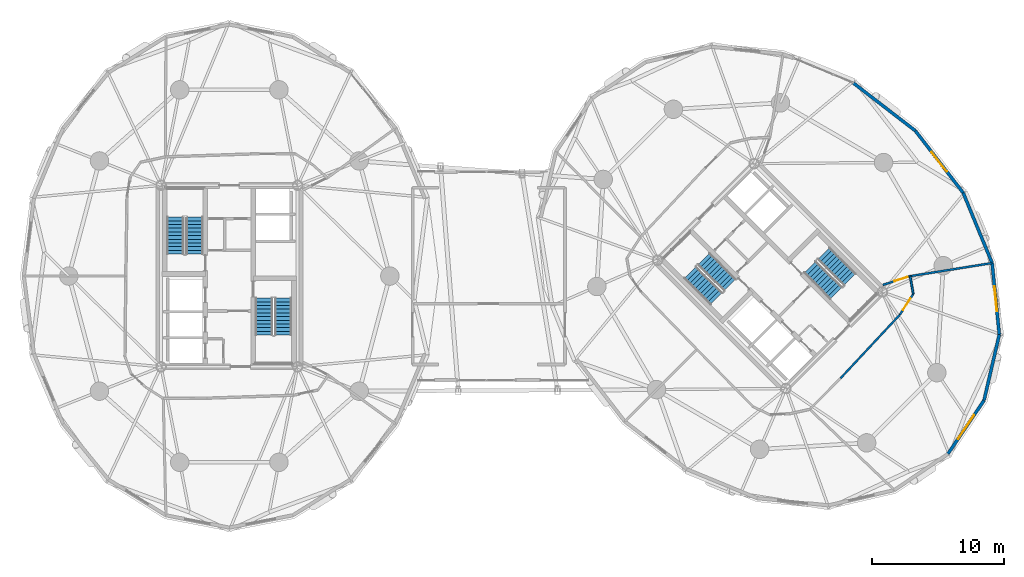
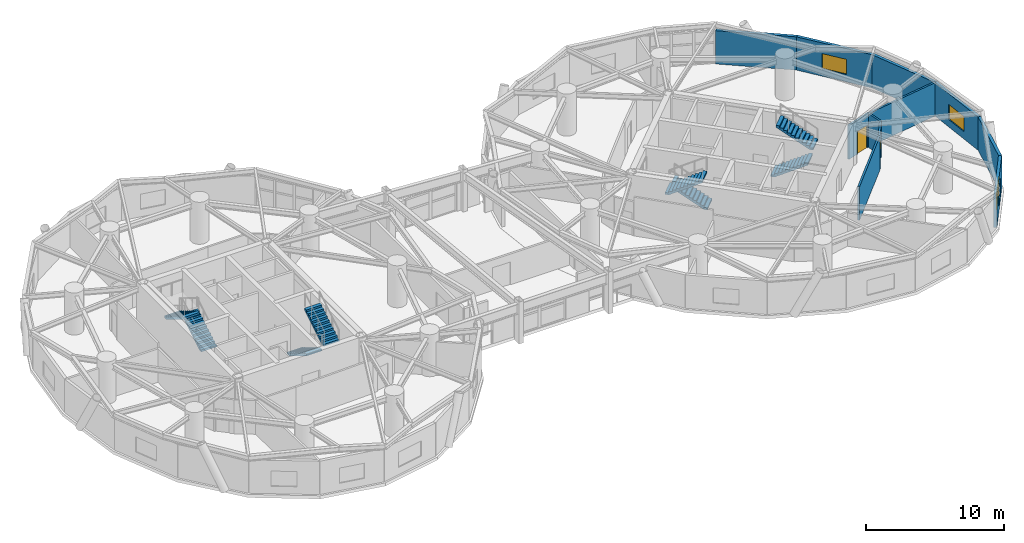
# One storey, part 17 of 19: 11 walls, 8 stair flights, 3 windows, 2 doors, 5 openings, 4 elements without a shape of their own.
"""IFC4 building model written with IfcOpenShell, lengths in metres."""

from ifc_helpers import new_model, si_unit, direction, frame, frame_2d, origin, place, context, subcontext, project, spatial, polyline, rectangle, outline, extrude, source, transform, mapped, material, layer, layer_set, type_object, element, fill, aggregate, save


model = new_model("IFC4")

# Units and contexts
model_context = context("Model", 3, precision=1e-05, world=origin(), true_north=direction((0.0, 1.0)))
body_context = subcontext(model_context, "Body", "Model", "MODEL_VIEW")
ifc_project = project(units=[si_unit("LENGTHUNIT", "METRE"), si_unit("AREAUNIT", "SQUARE_METRE"), si_unit("VOLUMEUNIT", "CUBIC_METRE"), si_unit("PLANEANGLEUNIT", "RADIAN"), si_unit("MASSUNIT", "GRAM", prefix="KILO")], contexts=[model_context])

# Site, building, storey
site_placement = place(None, origin())
site = spatial("IfcSite", under=ifc_project, at=site_placement, CompositionType="ELEMENT")
building_placement = place(site_placement, origin())
building = spatial("IfcBuilding", under=site, at=building_placement, Name="Cununo Teusaquillo Station Towers", CompositionType="ELEMENT")
storey_placement = place(building_placement, frame((0.0, 0.0, 132.8798828125)))
storey = spatial("IfcBuildingStorey", under=building, at=storey_placement, Name="L42", CompositionType="ELEMENT", Elevation=132.8798828125)

# Wall
ifc_material_1 = material(Name="Precast concrete C40/50", Category="concrete")
ifc_layer_1 = layer(ifc_material_1, 0.239990234375)
ifc_layer_set_1 = layer_set([ifc_layer_1], Name="Precast concrete C40/50")
wall_type_1 = type_object("IfcWallType", Name="WL-EXT-240", PredefinedType="SOLIDWALL", material=ifc_layer_set_1)
wall_1_placement = place(storey_placement, frame((63.811279296875, 39.145263671875, 0.0), z_axis=(0.0, 0.0, 1.0), x_axis=(0.791982052206, -0.61054437102, 0.0)))
element("IfcWall", 1, at=wall_1_placement, inside=storey, type_object=wall_type_1, Name="L42 Tower B Exterior Facade Wall C00", PredefinedType="SOLIDWALL", context=body_context, shape_type="SweptSolid", body=[
    extrude(rectangle(XDim=5.942138671875, YDim=0.239990234375, at=frame_2d((2.97119140625, 0.0))), origin(), (0.0, 0.0, 1.0), 2.94921875),
])

# Wall, opening, window
wall_2_placement = place(storey_placement, frame((73.72900390625, 15.080078125, 0.0), z_axis=(0.0, 0.0, 1.0), x_axis=(-0.559572880421, -0.828781148131, 0.0)))
wall_2 = element("IfcWall", 2, at=wall_2_placement, inside=storey, type_object=wall_type_1, Name="L42 Tower B Exterior Facade Wall C15", PredefinedType="SOLIDWALL", context=body_context, shape_type="SweptSolid", body=[
    extrude(rectangle(XDim=4.904541015625, YDim=0.239990234375, at=frame_2d((2.4521484375, 0.0))), origin(), (0.0, 0.0, 1.0), 2.94921875),
])
shared_shape_1 = source(origin(), body_context, "Body", "SweptSolid", [
    extrude(rectangle(XDim=2.199951171875, YDim=1.35009765625, at=frame_2d((1.10009765625, 0.675048828125))), frame((0.0, 0.1298828125, 0.0), z_axis=(0.0, -1.0, 0.0), x_axis=(1.0, 0.0, 0.0)), (0.0, 0.0, 1.0), 0.260009765625),
])
opening_1_placement = place(wall_2_placement, frame((1.35205078125, 0.0, 0.64990234375)))
opening_1 = element("IfcOpeningElement", 3, at=opening_1_placement, cuts=wall_2, Name="Opening WN-01", PredefinedType="OPENING", context=body_context, shape_type="MappedRepresentation", body=[
    mapped(shared_shape_1, transform((0.0, 0.0, 0.0), x_axis=(1.0, 0.0, 0.0), y_axis=(0.0, 1.0, 0.0), z_axis=(0.0, 0.0, 1.0), scale=1.0)),
])
ifc_material_2 = material(Name="Ceramic-fritted dark low-E double glazing", Category="glass")
window_type_1 = type_object("IfcWindowType", Name="WIN-FRIT-2200", PartitioningType="DOUBLE_PANEL_VERTICAL", PredefinedType="WINDOW", material=ifc_material_2)
shared_shape_2 = source(origin(), body_context, "Body", "SweptSolid", [
    extrude(rectangle(XDim=2.199951171875, YDim=1.35009765625, at=frame_2d((1.10009765625, 0.675048828125))), frame((0.0, 0.030029296875, 0.0), z_axis=(0.0, -1.0, 0.0), x_axis=(1.0, 0.0, 0.0)), (0.0, 0.0, 1.0), 0.06005859375),
])
window_1_placement = place(opening_1_placement, origin())
window_1 = element("IfcWindow", 4, at=window_1_placement, inside=storey, type_object=window_type_1, Name="L42 Tower B Facade Window C15", OverallHeight=1.35009765625, OverallWidth=2.199951171875, PartitioningType="DOUBLE_PANEL_VERTICAL", PredefinedType="WINDOW", context=body_context, shape_type="MappedRepresentation", body=[
    mapped(shared_shape_2, transform((0.0, 0.0, 0.0), x_axis=(1.0, 0.0, 0.0), y_axis=(0.0, 1.0, 0.0), z_axis=(0.0, 0.0, 1.0), scale=1.0)),
])
fill(opening_1, window_1)

# Wall
wall_3_placement = place(storey_placement, frame((74.885009765625, 20.066650390625, 0.0), z_axis=(0.0, 0.0, 1.0), x_axis=(-0.225834725257, -0.974165631126, 0.0)))
element("IfcWall", 5, at=wall_3_placement, inside=storey, type_object=wall_type_1, Name="L42 Tower B Exterior Facade Wall C16", PredefinedType="SOLIDWALL", context=body_context, shape_type="SweptSolid", body=[
    extrude(rectangle(XDim=5.118896484375, YDim=0.239990234375, at=frame_2d((2.5595703125, 0.0))), origin(), (0.0, 0.0, 1.0), 2.94921875),
])

# Wall, opening, window
wall_4_placement = place(storey_placement, frame((74.33935546875, 25.4873046875, 0.0), z_axis=(0.0, 0.0, 1.0), x_axis=(0.10015591906, -0.994971754311, 0.0)))
wall_4 = element("IfcWall", 6, at=wall_4_placement, inside=storey, type_object=wall_type_1, Name="L42 Tower B Exterior Facade Wall C17", PredefinedType="SOLIDWALL", context=body_context, shape_type="SweptSolid", body=[
    extrude(rectangle(XDim=5.447998046875, YDim=0.239990234375, at=frame_2d((2.72412109375, 0.0))), origin(), (0.0, 0.0, 1.0), 2.94921875),
])
shared_shape_3 = source(origin(), body_context, "Body", "SweptSolid", [
    extrude(rectangle(XDim=1.89990234375, YDim=1.35009765625, at=frame_2d((0.949951171875, 0.675048828125))), frame((0.0, 0.1298828125, 0.0), z_axis=(0.0, -1.0, 0.0), x_axis=(1.0, 0.0, 0.0)), (0.0, 0.0, 1.0), 0.260009765625),
])
opening_2_placement = place(wall_4_placement, frame((1.77392578125, 0.0, 0.64990234375)))
opening_2 = element("IfcOpeningElement", 7, at=opening_2_placement, cuts=wall_4, Name="Opening WN-02", PredefinedType="OPENING", context=body_context, shape_type="MappedRepresentation", body=[
    mapped(shared_shape_3, transform((0.0, 0.0, 0.0), x_axis=(1.0, 0.0, 0.0), y_axis=(0.0, 1.0, 0.0), z_axis=(0.0, 0.0, 1.0), scale=1.0)),
])
ifc_material_3 = material(Name="Operable acoustic tinted low-E double glazing", Category="glass")
window_type_2 = type_object("IfcWindowType", Name="WIN-OPER-1900", PartitioningType="DOUBLE_PANEL_VERTICAL", PredefinedType="WINDOW", material=ifc_material_3)
shared_shape_4 = source(origin(), body_context, "Body", "SweptSolid", [
    extrude(rectangle(XDim=1.89990234375, YDim=1.35009765625, at=frame_2d((0.949951171875, 0.675048828125))), frame((0.0, 0.030029296875, 0.0), z_axis=(0.0, -1.0, 0.0), x_axis=(1.0, 0.0, 0.0)), (0.0, 0.0, 1.0), 0.06005859375),
])
window_2_placement = place(opening_2_placement, origin())
window_2 = element("IfcWindow", 8, at=window_2_placement, inside=storey, type_object=window_type_2, Name="L42 Tower B Facade Window C17", OverallHeight=1.35009765625, OverallWidth=1.89990234375, PartitioningType="DOUBLE_PANEL_VERTICAL", PredefinedType="WINDOW", context=body_context, shape_type="MappedRepresentation", body=[
    mapped(shared_shape_4, transform((0.0, 0.0, 0.0), x_axis=(1.0, 0.0, 0.0), y_axis=(0.0, 1.0, 0.0), z_axis=(0.0, 0.0, 1.0), scale=1.0)),
])
fill(opening_2, window_2)

# Wall
wall_5_placement = place(storey_placement, frame((72.145263671875, 30.811279296875, 0.0), z_axis=(0.0, 0.0, 1.0), x_axis=(0.381027003055, -0.924563909604, 0.0)))
element("IfcWall", 9, at=wall_5_placement, inside=storey, type_object=wall_type_1, Name="L42 Tower B Exterior Facade Wall C18", PredefinedType="SOLIDWALL", context=body_context, shape_type="SweptSolid", body=[
    extrude(rectangle(XDim=5.75830078125, YDim=0.239990234375, at=frame_2d((2.879150390625, 0.0))), origin(), (0.0, 0.0, 1.0), 2.94921875),
])

# Wall, opening, window
wall_6_placement = place(storey_placement, frame((68.517333984375, 35.517333984375, 0.0), z_axis=(0.0, 0.0, 1.0), x_axis=(0.61054437102, -0.791982052206, 0.0)))
wall_6 = element("IfcWall", 10, at=wall_6_placement, inside=storey, type_object=wall_type_1, Name="L42 Tower B Exterior Facade Wall C19", PredefinedType="SOLIDWALL", context=body_context, shape_type="SweptSolid", body=[
    extrude(rectangle(XDim=5.942138671875, YDim=0.239990234375, at=frame_2d((2.97119140625, 0.0))), origin(), (0.0, 0.0, 1.0), 2.94921875),
])
opening_3_placement = place(wall_6_placement, frame((2.02099609375, 0.0, 0.64990234375)))
opening_3 = element("IfcOpeningElement", 11, at=opening_3_placement, cuts=wall_6, Name="Opening WN-02", PredefinedType="OPENING", context=body_context, shape_type="MappedRepresentation", body=[
    mapped(shared_shape_3, transform((0.0, 0.0, 0.0), x_axis=(1.0, 0.0, 0.0), y_axis=(0.0, 1.0, 0.0), z_axis=(0.0, 0.0, 1.0), scale=1.0)),
])
window_3_placement = place(opening_3_placement, origin())
window_3 = element("IfcWindow", 12, at=window_3_placement, inside=storey, type_object=window_type_2, Name="L42 Tower B Facade Window C19", OverallHeight=1.35009765625, OverallWidth=1.89990234375, PartitioningType="DOUBLE_PANEL_VERTICAL", PredefinedType="WINDOW", context=body_context, shape_type="MappedRepresentation", body=[
    mapped(shared_shape_4, transform((0.0, 0.0, 0.0), x_axis=(1.0, 0.0, 0.0), y_axis=(0.0, 1.0, 0.0), z_axis=(0.0, 0.0, 1.0), scale=1.0)),
])
fill(opening_3, window_3)

# Wall
ifc_material_4 = material(Name="Fire-rated gypsum plasterboard partition assembly", Category="gypsum")
ifc_layer_2 = layer(ifc_material_4, 0.14990234375)
ifc_layer_set_2 = layer_set([ifc_layer_2], Name="Fire-rated gypsum plasterboard partition assembly")
wall_type_2 = type_object("IfcWallType", Name="WL-PART-150", PredefinedType="PARTITIONING", material=ifc_layer_set_2)
wall_7_placement = place(storey_placement, frame((62.83935546875, 16.74462890625, 0.0), z_axis=(0.0, 0.0, 1.0), x_axis=(0.682386779427, 0.73099130177, 0.0)))
element("IfcWall", 13, at=wall_7_placement, inside=storey, type_object=wall_type_2, Name="L42 Tower B Corridor Ring Wall C15", PredefinedType="PARTITIONING", context=body_context, shape_type="SweptSolid", body=[
    extrude(rectangle(XDim=6.600341796875, YDim=0.14990234375, at=frame_2d((3.30029296875, 0.0))), origin(), (0.0, 0.0, 1.0), 2.9951171875),
])

# Wall, opening, door
wall_8_placement = place(storey_placement, frame((67.34326171875, 21.5693359375, 0.0), z_axis=(0.0, 0.0, 1.0), x_axis=(0.542722446786, 0.83991210597, 0.0)))
wall_8 = element("IfcWall", 14, at=wall_8_placement, inside=storey, type_object=wall_type_2, Name="L42 Tower B Corridor Ring Wall C16", PredefinedType="PARTITIONING", context=body_context, shape_type="SweptSolid", body=[
    extrude(rectangle(XDim=1.876220703125, YDim=0.14990234375, at=frame_2d((0.93798828125, 0.0))), origin(), (0.0, 0.0, 1.0), 2.9951171875),
])
shared_shape_5 = source(origin(), body_context, "Body", "SweptSolid", [
    extrude(rectangle(XDim=1.050048828125, YDim=2.014892578125, at=frame_2d((0.52490234375, 1.00732421875))), frame((0.0, 0.0849609375, 0.0), z_axis=(0.0, -1.0, 0.0), x_axis=(1.0, 0.0, 0.0)), (0.0, 0.0, 1.0), 0.169921875),
])
opening_4_placement = place(wall_8_placement, frame((0.4130859375, 0.0, 0.0)))
opening_4 = element("IfcOpeningElement", 15, at=opening_4_placement, cuts=wall_8, Name="Opening D-SU1", PredefinedType="OPENING", context=body_context, shape_type="MappedRepresentation", body=[
    mapped(shared_shape_5, transform((0.0, 0.0, 0.0), x_axis=(1.0, 0.0, 0.0), y_axis=(0.0, 1.0, 0.0), z_axis=(0.0, 0.0, 1.0), scale=1.0)),
])
ifc_material_5 = material(Name="Acoustic solid-core hardwood leaf assembly", Category="wood")
door_type = type_object("IfcDoorType", Name="DR-SUITE-1050", OperationType="NOTDEFINED", PredefinedType="DOOR", material=ifc_material_5)
shared_shape_6 = source(origin(), body_context, "Body", "SweptSolid", [
    extrude(rectangle(XDim=1.050048828125, YDim=2.014892578125, at=frame_2d((0.52490234375, 1.00732421875))), frame((0.0, 0.02490234375, 0.0), z_axis=(0.0, -1.0, 0.0), x_axis=(1.0, 0.0, 0.0)), (0.0, 0.0, 1.0), 0.050048828125),
])
door_1_placement = place(opening_4_placement, origin())
door_1 = element("IfcDoor", 16, at=door_1_placement, inside=storey, type_object=door_type, Name="L42 Tower B Executive Sky-Bridge Club Lounge Entrance Door", OperationType="SINGLE_SWING_LEFT", OverallHeight=2.014892578125, OverallWidth=1.050048828125, PredefinedType="DOOR", context=body_context, shape_type="MappedRepresentation", body=[
    mapped(shared_shape_6, transform((0.0, 0.0, 0.0), x_axis=(1.0, 0.0, 0.0), y_axis=(0.0, 1.0, 0.0), z_axis=(0.0, 0.0, 1.0), scale=1.0)),
])
fill(opening_4, door_1)

# Walls
wall_9_placement = place(storey_placement, frame((68.361572265625, 23.145263671875, 0.0), z_axis=(0.0, 0.0, 1.0), x_axis=(-0.175605524171, 0.984460613677, 0.0)))
element("IfcWall", 17, at=wall_9_placement, inside=storey, type_object=wall_type_2, Name="L42 Tower B Corridor Ring Wall C17", PredefinedType="PARTITIONING", context=body_context, shape_type="SweptSolid", body=[
    extrude(rectangle(XDim=1.369384765625, YDim=0.14990234375, at=frame_2d((0.6845703125, 0.0))), origin(), (0.0, 0.0, 1.0), 2.9951171875),
])
ifc_material_6 = material(Name="Fire-rated gypsum plasterboard partition assembly", Category="gypsum")
ifc_layer_3 = layer(ifc_material_6, 0.159912109375)
ifc_layer_set_3 = layer_set([ifc_layer_3], Name="Fire-rated gypsum plasterboard partition assembly")
wall_type_3 = type_object("IfcWallType", Name="WL-PART-160", PredefinedType="PARTITIONING", material=ifc_layer_set_3)
wall_10_placement = place(storey_placement, frame((68.12109375, 24.493408203125, 0.0), z_axis=(0.0, 0.0, 1.0), x_axis=(0.987466345552, 0.15782970697, 0.0)))
element("IfcWall", 18, at=wall_10_placement, inside=storey, type_object=wall_type_3, Name="L42 Tower B Radial Suite Partition R05", PredefinedType="PARTITIONING", context=body_context, shape_type="SweptSolid", body=[
    extrude(rectangle(XDim=6.277099609375, YDim=0.159912109375, at=frame_2d((3.138671875, 0.0))), origin(), (0.0, 0.0, 1.0), 2.94921875),
])

# Wall, opening, door
wall_11_placement = place(storey_placement, frame((66.055908203125, 23.828125, 0.0), z_axis=(0.0, 0.0, 1.0), x_axis=(0.951830504244, 0.306624674792, 0.0)))
wall_11 = element("IfcWall", 19, at=wall_11_placement, inside=storey, type_object=wall_type_3, Name="L42 Tower B East Salon Corridor Portal Wall SE", PredefinedType="PARTITIONING", context=body_context, shape_type="SweptSolid", body=[
    extrude(rectangle(XDim=2.169677734375, YDim=0.159912109375, at=frame_2d((1.0849609375, 0.0))), origin(), (0.0, 0.0, 1.0), 2.9951171875),
])
shared_shape_7 = source(origin(), body_context, "Body", "SweptSolid", [
    extrude(rectangle(XDim=1.050048828125, YDim=2.014892578125, at=frame_2d((0.52490234375, 1.00732421875))), frame((0.0, 0.08984375, 0.0), z_axis=(0.0, -1.0, 0.0), x_axis=(1.0, 0.0, 0.0)), (0.0, 0.0, 1.0), 0.179931640625),
])
opening_5_placement = place(wall_11_placement, frame((0.919677734375, 0.0, 0.0)))
opening_5 = element("IfcOpeningElement", 20, at=opening_5_placement, cuts=wall_11, Name="Opening D-SU1", PredefinedType="OPENING", context=body_context, shape_type="MappedRepresentation", body=[
    mapped(shared_shape_7, transform((0.0, 0.0, 0.0), x_axis=(1.0, 0.0, 0.0), y_axis=(0.0, 1.0, 0.0), z_axis=(0.0, 0.0, 1.0), scale=1.0)),
])
door_2_placement = place(opening_5_placement, origin())
door_2 = element("IfcDoor", 21, at=door_2_placement, inside=storey, type_object=door_type, Name="L42 Tower B East Panorama Sky Salon Door SE", OperationType="SINGLE_SWING_LEFT", OverallHeight=2.014892578125, OverallWidth=1.050048828125, PredefinedType="DOOR", context=body_context, shape_type="MappedRepresentation", body=[
    mapped(shared_shape_6, transform((0.0, 0.0, 0.0), x_axis=(1.0, 0.0, 0.0), y_axis=(0.0, 1.0, 0.0), z_axis=(0.0, 0.0, 1.0), scale=1.0)),
])
fill(opening_5, door_2)

# Stair, stair flights
ifc_material_7 = material(Name="Concrete C50/60", Category="concrete")
stair_type = type_object("IfcStairType", Name="ST-TWR-1300", PredefinedType="HALF_TURN_STAIR", material=ifc_material_7)
stair_1_placement = place(storey_placement, origin())
stair_1 = element("IfcStair", 22, at=stair_1_placement, inside=storey, type_object=stair_type, Name="L42 Tower A Protected Core Exit Stair 1", PredefinedType="HALF_TURN_STAIR")
ifc_material_8 = material(Name="Concrete C50/60", Category="concrete")
stair_flight_type = type_object("IfcStairFlightType", Name="SFL-TWR-1300", PredefinedType="STRAIGHT", material=ifc_material_8)
stair_flight_1_placement = place(storey_placement, frame((13.8701171875, 26.169921875, 0.0), z_axis=(0.0, 0.0, 1.0), x_axis=(0.0, 1.0, 0.0)))
stair_flight_1 = element("IfcStairFlight", 23, at=stair_flight_1_placement, type_object=stair_flight_type, Name="ST-T1-1 flight 1", NumberOfRisers=11, NumberOfTreads=10, PredefinedType="STRAIGHT", RiserHeight=0.169090909, TreadLength=0.28, context=body_context, shape_type="SweptSolid", body=[
    extrude(outline(polyline([(0.0, 0.0), (0.0, 0.169189453125), (0.280029296875, 0.169189453125), (0.280029296875, 0.338134765625), (0.56005859375, 0.338134765625), (0.56005859375, 0.50732421875), (0.840087890625, 0.50732421875), (0.840087890625, 0.67626953125), (1.1201171875, 0.67626953125), (1.1201171875, 0.845458984375), (1.39990234375, 0.845458984375), (1.39990234375, 1.0146484375), (1.679931640625, 1.0146484375), (1.679931640625, 1.18359375), (1.9599609375, 1.18359375), (1.9599609375, 1.352783203125), (2.239990234375, 1.352783203125), (2.239990234375, 1.521728515625), (2.52001953125, 1.521728515625), (2.52001953125, 1.69091796875), (2.800048828125, 1.69091796875), (2.800048828125, 1.860107421875), (2.800048828125, 1.515869140625), (0.2900390625, 0.0), (0.0, 0.0)])), frame((0.0, 0.64990234375, 0.0), z_axis=(0.0, -1.0, 0.0), x_axis=(1.0, 0.0, 0.0)), (0.0, 0.0, 1.0), 1.300048828125),
])
stair_flight_2_placement = place(storey_placement, frame((12.409912109375, 28.969970703125, 1.860107421875), z_axis=(0.0, 0.0, 1.0), x_axis=(0.0, -1.0, 0.0)))
stair_flight_2 = element("IfcStairFlight", 24, at=stair_flight_2_placement, type_object=stair_flight_type, Name="ST-T1-1 flight 2", NumberOfRisers=11, NumberOfTreads=10, PredefinedType="STRAIGHT", RiserHeight=0.169090909, TreadLength=0.28, context=body_context, shape_type="SweptSolid", body=[
    extrude(outline(polyline([(0.0, 0.0), (0.0, 0.169189453125), (0.280029296875, 0.169189453125), (0.280029296875, 0.338134765625), (0.56005859375, 0.338134765625), (0.56005859375, 0.50732421875), (0.840087890625, 0.50732421875), (0.840087890625, 0.67626953125), (1.1201171875, 0.67626953125), (1.1201171875, 0.845458984375), (1.39990234375, 0.845458984375), (1.39990234375, 1.0146484375), (1.679931640625, 1.0146484375), (1.679931640625, 1.18359375), (1.9599609375, 1.18359375), (1.9599609375, 1.352783203125), (2.239990234375, 1.352783203125), (2.239990234375, 1.521728515625), (2.52001953125, 1.521728515625), (2.52001953125, 1.69091796875), (2.800048828125, 1.69091796875), (2.800048828125, 1.860107421875), (2.800048828125, 1.515869140625), (0.2900390625, 0.0), (0.0, 0.0)])), frame((0.0, 0.64990234375, 0.0), z_axis=(0.0, -1.0, 0.0), x_axis=(1.0, 0.0, 0.0)), (0.0, 0.0, 1.0), 1.300048828125),
])
aggregate(stair_1, [stair_flight_1, stair_flight_2])

stair_2_placement = place(storey_placement, origin())
stair_2 = element("IfcStair", 25, at=stair_2_placement, inside=storey, type_object=stair_type, Name="L42 Tower A Protected Core Exit Stair 2", PredefinedType="HALF_TURN_STAIR")
stair_flight_3_placement = place(storey_placement, frame((19.1298828125, 22.830078125, 0.0), z_axis=(0.0, 0.0, 1.0), x_axis=(0.0, -1.0, 0.0)))
stair_flight_3 = element("IfcStairFlight", 26, at=stair_flight_3_placement, type_object=stair_flight_type, Name="ST-T1-2 flight 1", NumberOfRisers=11, NumberOfTreads=10, PredefinedType="STRAIGHT", RiserHeight=0.169090909, TreadLength=0.28, context=body_context, shape_type="SweptSolid", body=[
    extrude(outline(polyline([(0.0, 0.0), (0.0, 0.169189453125), (0.280029296875, 0.169189453125), (0.280029296875, 0.338134765625), (0.56005859375, 0.338134765625), (0.56005859375, 0.50732421875), (0.840087890625, 0.50732421875), (0.840087890625, 0.67626953125), (1.1201171875, 0.67626953125), (1.1201171875, 0.845458984375), (1.39990234375, 0.845458984375), (1.39990234375, 1.0146484375), (1.679931640625, 1.0146484375), (1.679931640625, 1.18359375), (1.9599609375, 1.18359375), (1.9599609375, 1.352783203125), (2.239990234375, 1.352783203125), (2.239990234375, 1.521728515625), (2.52001953125, 1.521728515625), (2.52001953125, 1.69091796875), (2.800048828125, 1.69091796875), (2.800048828125, 1.860107421875), (2.800048828125, 1.515869140625), (0.2900390625, 0.0), (0.0, 0.0)])), frame((0.0, 0.64990234375, 0.0), z_axis=(0.0, -1.0, 0.0), x_axis=(1.0, 0.0, 0.0)), (0.0, 0.0, 1.0), 1.300048828125),
])
stair_flight_4_placement = place(storey_placement, frame((20.590087890625, 20.030029296875, 1.860107421875), z_axis=(0.0, 0.0, 1.0), x_axis=(0.0, 1.0, 0.0)))
stair_flight_4 = element("IfcStairFlight", 27, at=stair_flight_4_placement, type_object=stair_flight_type, Name="ST-T1-2 flight 2", NumberOfRisers=11, NumberOfTreads=10, PredefinedType="STRAIGHT", RiserHeight=0.169090909, TreadLength=0.28, context=body_context, shape_type="SweptSolid", body=[
    extrude(outline(polyline([(0.0, 0.0), (0.0, 0.169189453125), (0.280029296875, 0.169189453125), (0.280029296875, 0.338134765625), (0.56005859375, 0.338134765625), (0.56005859375, 0.50732421875), (0.840087890625, 0.50732421875), (0.840087890625, 0.67626953125), (1.1201171875, 0.67626953125), (1.1201171875, 0.845458984375), (1.39990234375, 0.845458984375), (1.39990234375, 1.0146484375), (1.679931640625, 1.0146484375), (1.679931640625, 1.18359375), (1.9599609375, 1.18359375), (1.9599609375, 1.352783203125), (2.239990234375, 1.352783203125), (2.239990234375, 1.521728515625), (2.52001953125, 1.521728515625), (2.52001953125, 1.69091796875), (2.800048828125, 1.69091796875), (2.800048828125, 1.860107421875), (2.800048828125, 1.515869140625), (0.2900390625, 0.0), (0.0, 0.0)])), frame((0.0, 0.64990234375, 0.0), z_axis=(0.0, -1.0, 0.0), x_axis=(1.0, 0.0, 0.0)), (0.0, 0.0, 1.0), 1.300048828125),
])
aggregate(stair_2, [stair_flight_3, stair_flight_4])

stair_3_placement = place(storey_placement, origin())
stair_3 = element("IfcStair", 28, at=stair_3_placement, inside=storey, type_object=stair_type, Name="L42 Tower B Protected Core Exit Stair 1", PredefinedType="HALF_TURN_STAIR")
stair_flight_5_placement = place(storey_placement, frame((54.45947265625, 23.8212890625, 0.0), z_axis=(0.0, 0.0, 1.0), x_axis=(-0.707106781187, 0.707106781187, 0.0)))
stair_flight_5 = element("IfcStairFlight", 29, at=stair_flight_5_placement, type_object=stair_flight_type, Name="ST-T2-1 flight 1", NumberOfRisers=11, NumberOfTreads=10, PredefinedType="STRAIGHT", RiserHeight=0.169090909, TreadLength=0.28, context=body_context, shape_type="SweptSolid", body=[
    extrude(outline(polyline([(0.0, 0.0), (0.0, 0.169189453125), (0.280029296875, 0.169189453125), (0.280029296875, 0.338134765625), (0.56005859375, 0.338134765625), (0.56005859375, 0.50732421875), (0.840087890625, 0.50732421875), (0.840087890625, 0.67626953125), (1.1201171875, 0.67626953125), (1.1201171875, 0.845458984375), (1.39990234375, 0.845458984375), (1.39990234375, 1.0146484375), (1.679931640625, 1.0146484375), (1.679931640625, 1.18359375), (1.9599609375, 1.18359375), (1.9599609375, 1.352783203125), (2.239990234375, 1.352783203125), (2.239990234375, 1.521728515625), (2.52001953125, 1.521728515625), (2.52001953125, 1.69091796875), (2.800048828125, 1.69091796875), (2.800048828125, 1.860107421875), (2.800048828125, 1.515869140625), (0.2900390625, 0.0), (0.0, 0.0)])), frame((0.0, 0.64990234375, 0.0), z_axis=(0.0, -1.0, 0.0), x_axis=(1.0, 0.0, 0.0)), (0.0, 0.0, 1.0), 1.300048828125),
])
stair_flight_6_placement = place(storey_placement, frame((51.447265625, 24.768798828125, 1.860107421875), z_axis=(0.0, 0.0, 1.0), x_axis=(0.707106781187, -0.707106781187, 0.0)))
stair_flight_6 = element("IfcStairFlight", 30, at=stair_flight_6_placement, type_object=stair_flight_type, Name="ST-T2-1 flight 2", NumberOfRisers=11, NumberOfTreads=10, PredefinedType="STRAIGHT", RiserHeight=0.169090909, TreadLength=0.28, context=body_context, shape_type="SweptSolid", body=[
    extrude(outline(polyline([(0.0, 0.0), (0.0, 0.169189453125), (0.280029296875, 0.169189453125), (0.280029296875, 0.338134765625), (0.56005859375, 0.338134765625), (0.56005859375, 0.50732421875), (0.840087890625, 0.50732421875), (0.840087890625, 0.67626953125), (1.1201171875, 0.67626953125), (1.1201171875, 0.845458984375), (1.39990234375, 0.845458984375), (1.39990234375, 1.0146484375), (1.679931640625, 1.0146484375), (1.679931640625, 1.18359375), (1.9599609375, 1.18359375), (1.9599609375, 1.352783203125), (2.239990234375, 1.352783203125), (2.239990234375, 1.521728515625), (2.52001953125, 1.521728515625), (2.52001953125, 1.69091796875), (2.800048828125, 1.69091796875), (2.800048828125, 1.860107421875), (2.800048828125, 1.515869140625), (0.2900390625, 0.0), (0.0, 0.0)])), frame((0.0, 0.64990234375, 0.0), z_axis=(0.0, -1.0, 0.0), x_axis=(1.0, 0.0, 0.0)), (0.0, 0.0, 1.0), 1.300048828125),
])
aggregate(stair_3, [stair_flight_5, stair_flight_6])

stair_4_placement = place(storey_placement, origin())
stair_4 = element("IfcStair", 31, at=stair_4_placement, inside=storey, type_object=stair_type, Name="L42 Tower B Protected Core Exit Stair 2", PredefinedType="HALF_TURN_STAIR")
stair_flight_7_placement = place(storey_placement, frame((60.54052734375, 25.1787109375, 0.0), z_axis=(0.0, 0.0, 1.0), x_axis=(0.707106781187, -0.707106781187, 0.0)))
stair_flight_7 = element("IfcStairFlight", 32, at=stair_flight_7_placement, type_object=stair_flight_type, Name="ST-T2-2 flight 1", NumberOfRisers=11, NumberOfTreads=10, PredefinedType="STRAIGHT", RiserHeight=0.169090909, TreadLength=0.28, context=body_context, shape_type="SweptSolid", body=[
    extrude(outline(polyline([(0.0, 0.0), (0.0, 0.169189453125), (0.280029296875, 0.169189453125), (0.280029296875, 0.338134765625), (0.56005859375, 0.338134765625), (0.56005859375, 0.50732421875), (0.840087890625, 0.50732421875), (0.840087890625, 0.67626953125), (1.1201171875, 0.67626953125), (1.1201171875, 0.845458984375), (1.39990234375, 0.845458984375), (1.39990234375, 1.0146484375), (1.679931640625, 1.0146484375), (1.679931640625, 1.18359375), (1.9599609375, 1.18359375), (1.9599609375, 1.352783203125), (2.239990234375, 1.352783203125), (2.239990234375, 1.521728515625), (2.52001953125, 1.521728515625), (2.52001953125, 1.69091796875), (2.800048828125, 1.69091796875), (2.800048828125, 1.860107421875), (2.800048828125, 1.515869140625), (0.2900390625, 0.0), (0.0, 0.0)])), frame((0.0, 0.64990234375, 0.0), z_axis=(0.0, -1.0, 0.0), x_axis=(1.0, 0.0, 0.0)), (0.0, 0.0, 1.0), 1.300048828125),
])
stair_flight_8_placement = place(storey_placement, frame((63.552734375, 24.231201171875, 1.860107421875), z_axis=(0.0, 0.0, 1.0), x_axis=(-0.707106781187, 0.707106781187, 0.0)))
stair_flight_8 = element("IfcStairFlight", 33, at=stair_flight_8_placement, type_object=stair_flight_type, Name="ST-T2-2 flight 2", NumberOfRisers=11, NumberOfTreads=10, PredefinedType="STRAIGHT", RiserHeight=0.169090909, TreadLength=0.28, context=body_context, shape_type="SweptSolid", body=[
    extrude(outline(polyline([(0.0, 0.0), (0.0, 0.169189453125), (0.280029296875, 0.169189453125), (0.280029296875, 0.338134765625), (0.56005859375, 0.338134765625), (0.56005859375, 0.50732421875), (0.840087890625, 0.50732421875), (0.840087890625, 0.67626953125), (1.1201171875, 0.67626953125), (1.1201171875, 0.845458984375), (1.39990234375, 0.845458984375), (1.39990234375, 1.0146484375), (1.679931640625, 1.0146484375), (1.679931640625, 1.18359375), (1.9599609375, 1.18359375), (1.9599609375, 1.352783203125), (2.239990234375, 1.352783203125), (2.239990234375, 1.521728515625), (2.52001953125, 1.521728515625), (2.52001953125, 1.69091796875), (2.800048828125, 1.69091796875), (2.800048828125, 1.860107421875), (2.800048828125, 1.515869140625), (0.2900390625, 0.0), (0.0, 0.0)])), frame((0.0, 0.64990234375, 0.0), z_axis=(0.0, -1.0, 0.0), x_axis=(1.0, 0.0, 0.0)), (0.0, 0.0, 1.0), 1.300048828125),
])
aggregate(stair_4, [stair_flight_7, stair_flight_8])

save(model, "model.ifc")
